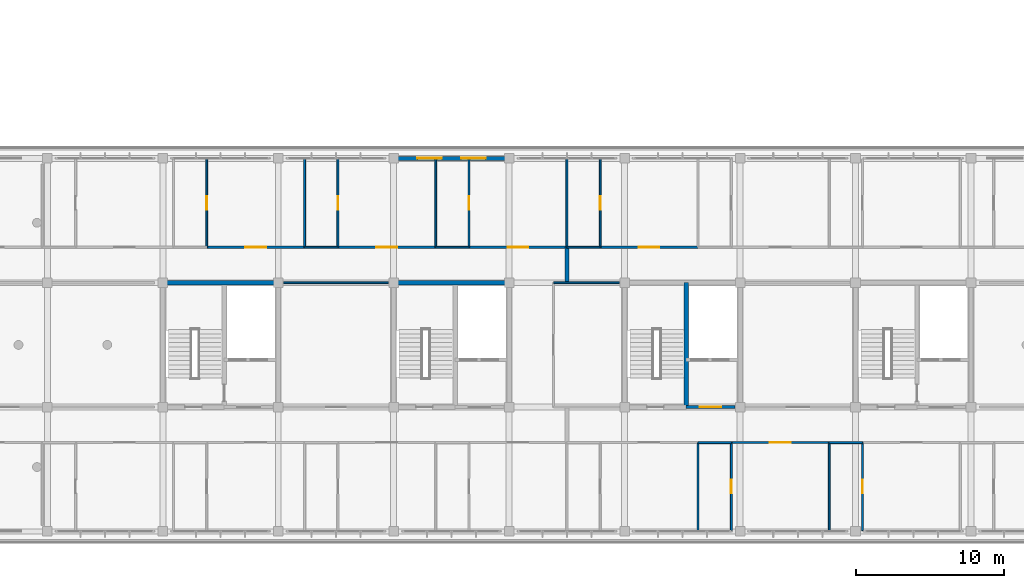
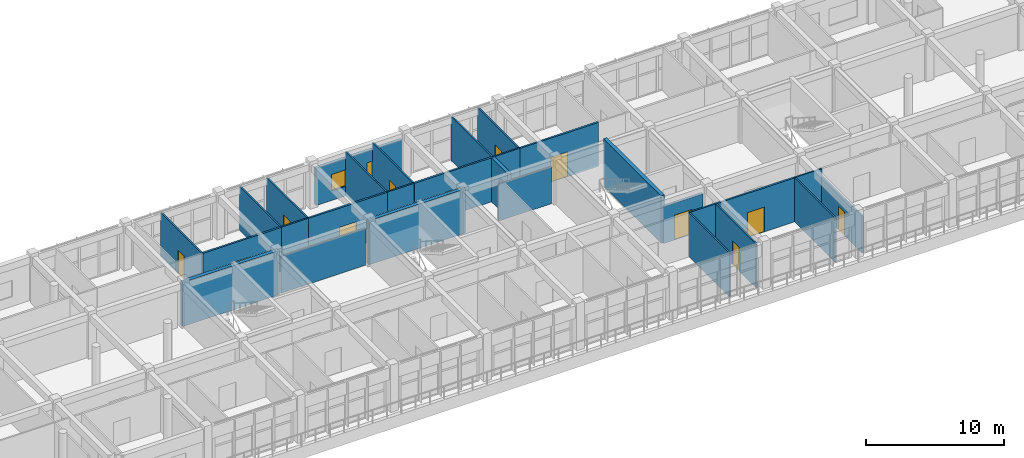
# One storey, part 49 of 57: 29 walls, 12 doors, 2 windows, 14 openings.
"""IFC4 building model written with IfcOpenShell, lengths in metres."""

import ifcopenshell
import ifcopenshell.guid

model = None  # the IFC model being written
_history = None  # IfcOwnerHistory: only IFC2X3 demands one
_inside = {}  # id of a spatial element -> (the spatial element, [elements in it])
_under = {}  # id of a project, library or spatial element -> (it, [spatial elements below it])
_declared = {}  # id of a project -> (the project, [libraries it declares])
_typed = {}  # id of a type object -> (the type object, [elements of that type])
_made_of = {}  # id of a material, layer set ... -> (it, [elements and type objects made of it])


def new_model(schema):
    """Start an empty IFC model of exactly this schema.

    Asked for "IFC4X3", IfcOpenShell would pick the latest addendum, in which some entities
    have other attributes; the version numbers below select the first issue.
    IFC2X3 requires an IfcOwnerHistory on every rooted entity: one is made here for all.
    """
    global model, _history
    if schema == "IFC4X3":
        model = ifcopenshell.file(schema_version=(4, 3, 0, 0))
    else:
        model = ifcopenshell.file(schema=schema)
    _inside.clear()
    _under.clear()
    _declared.clear()
    _typed.clear()
    _made_of.clear()
    _history = None
    if model.schema == "IFC2X3":
        org = make("IfcOrganization", Name="unknown")
        user = make(
            "IfcPersonAndOrganization",
            ThePerson=make("IfcPerson", FamilyName="unknown"),
            TheOrganization=org,
        )
        app = make(
            "IfcApplication",
            ApplicationDeveloper=org,
            Version="unknown",
            ApplicationFullName="unknown",
            ApplicationIdentifier="unknown",
        )
        _history = make(
            "IfcOwnerHistory",
            OwningUser=user,
            OwningApplication=app,
            ChangeAction="ADDED",
            CreationDate=0,
        )
    return model


def make(cls, **values):
    """One entity of the class cls with the attributes given. An attribute that is None is left unset."""
    return model.create_entity(
        cls, **{name: value for name, value in values.items() if value is not None}
    )


def rooted(cls, **values):
    """An entity with a GlobalId (a new one), such as an element, a storey or a relation."""
    return make(cls, GlobalId=ifcopenshell.guid.new(), OwnerHistory=_history, **values)


def si_unit(unit_type, name, prefix=None):
    """IfcSIUnit, for example si_unit("LENGTHUNIT", "METRE", prefix="MILLI")."""
    return make("IfcSIUnit", UnitType=unit_type, Prefix=prefix, Name=name)


def assignment(units):
    """IfcUnitAssignment: the units of a project."""
    return None if units is None else make("IfcUnitAssignment", Units=units)


def point(xyz):
    """IfcCartesianPoint."""
    return None if xyz is None else make("IfcCartesianPoint", Coordinates=xyz)


def direction(xyz):
    """IfcDirection."""
    return None if xyz is None else make("IfcDirection", DirectionRatios=xyz)


def frame(location, z_axis=None, x_axis=None):
    """IfcAxis2Placement3D, a coordinate frame: its origin and axes. An axis left out is left unset."""
    return make(
        "IfcAxis2Placement3D",
        Location=point(location),
        Axis=direction(z_axis),
        RefDirection=direction(x_axis),
    )


def frame_2d(location, x_axis=None):
    """IfcAxis2Placement2D, a coordinate frame in the plane: its origin and x axis."""
    return make(
        "IfcAxis2Placement2D", Location=point(location), RefDirection=direction(x_axis)
    )


def origin():
    """The frame at (0, 0, 0) with its axes left unset."""
    return frame((0.0, 0.0, 0.0))


def place(relative_to, where):
    """IfcLocalPlacement: puts the frame where relative to a parent placement (None: the world)."""
    return make(
        "IfcLocalPlacement", PlacementRelTo=relative_to, RelativePlacement=where
    )


def context(
    kind, dimensions, precision=None, world=None, true_north=None, identifier=None
):
    """IfcGeometricRepresentationContext, for example the 3D "Model" context."""
    return make(
        "IfcGeometricRepresentationContext",
        ContextIdentifier=identifier,
        ContextType=kind,
        CoordinateSpaceDimension=dimensions,
        Precision=precision,
        WorldCoordinateSystem=world,
        TrueNorth=true_north,
    )


def subcontext(parent, identifier, kind, view, scale=None):
    """IfcGeometricRepresentationSubContext, for example "Body" below "Model"."""
    return make(
        "IfcGeometricRepresentationSubContext",
        ContextIdentifier=identifier,
        ContextType=kind,
        ParentContext=parent,
        TargetScale=scale,
        TargetView=view,
    )


def project(units=None, contexts=None):
    """IfcProject with its units and contexts."""
    return rooted(
        "IfcProject",
        Name="project",
        RepresentationContexts=contexts,
        UnitsInContext=assignment(units),
    )


def spatial(cls, under=None, at=None, **own):
    """A site, building, storey or space (cls), placed at a placement, below another one or the project."""
    s = rooted(cls, ObjectPlacement=at, **own)
    if under is not None:
        _under.setdefault(under.id(), (under, []))[1].append(s)
    return s


def profile(cls, at=None, kind="AREA", **sizes):
    """A parametric profile (cls). Its sizes go by their IFC names, for example OverallWidth=200.0."""
    return make(cls, ProfileType=kind, Position=at, **sizes)


def rectangle(**sizes):
    """IfcRectangleProfileDef."""
    return profile("IfcRectangleProfileDef", **sizes)


def extrude(swept, where, along, depth):
    """IfcExtrudedAreaSolid: the profile swept, set in the frame where, extruded along a direction by depth."""
    return make(
        "IfcExtrudedAreaSolid",
        SweptArea=swept,
        Position=where,
        ExtrudedDirection=direction(along),
        Depth=depth,
    )


def shape(context_of_items, identifier, shape_type, items):
    """IfcShapeRepresentation: the items that make up one representation, for example the "Body"."""
    return make(
        "IfcShapeRepresentation",
        ContextOfItems=context_of_items,
        RepresentationIdentifier=identifier,
        RepresentationType=shape_type,
        Items=items,
    )


def material(Name=None, Category=None):
    """IfcMaterial."""
    return make("IfcMaterial", Name=Name, Category=Category)


def layer(
    of_material, thickness, ventilated=None, Name=None, Category=None, Priority=None
):
    """IfcMaterialLayer: one layer of a wall or slab, of a material (None: an air gap)."""
    return make(
        "IfcMaterialLayer",
        Material=of_material,
        LayerThickness=thickness,
        IsVentilated=ventilated,
        Name=Name,
        Category=Category,
        Priority=Priority,
    )


def layer_set(layers, Name=None):
    """IfcMaterialLayerSet."""
    return make("IfcMaterialLayerSet", MaterialLayers=layers, LayerSetName=Name)


def made_of(thing, what):
    """Note that an element or type object is made of a material, layer set ...; save() writes the relation."""
    if what is not None:
        _made_of.setdefault(what.id(), (what, []))[1].append(thing)
    return thing


def type_object(cls, material=None, **own):
    """A type object (cls), such as IfcWallType, which elements share."""
    return made_of(rooted(cls, **own), material)


def element(
    cls,
    number,
    at=None,
    inside=None,
    cuts=None,
    type_object=None,
    material=None,
    context=None,
    identifier="Body",
    shape_type=None,
    held_by="IfcProductDefinitionShape",
    body=None,
    shapes=None,
    **own,
):
    """One element of the class cls, such as IfcWall. Its Tag is "e" and its number.

    at: its placement. inside: the storey or other place that contains it. cuts: it is an
    opening in that element (IfcRelVoidsElement). A single representation is given by context,
    identifier, shape_type and body (its items); several are given by shapes. held_by: the class
    of the entity that holds the representations. save() writes the other relations.
    """
    e = rooted(cls, Tag="e%d" % number, ObjectPlacement=at, **own)
    if body is not None:
        shapes = [shape(context, identifier, shape_type, body)]
    if shapes is not None:
        e.Representation = make(held_by, Representations=shapes)
    if inside is not None:
        _inside.setdefault(inside.id(), (inside, []))[1].append(e)
    if cuts is not None:
        rooted(
            "IfcRelVoidsElement", RelatingBuildingElement=cuts, RelatedOpeningElement=e
        )
    if type_object is not None:
        _typed.setdefault(type_object.id(), (type_object, []))[1].append(e)
    return made_of(e, material)


def fill(opening, filler):
    """IfcRelFillsElement: the door or window that sits in an opening."""
    return rooted(
        "IfcRelFillsElement",
        RelatingOpeningElement=opening,
        RelatedBuildingElement=filler,
    )


def aggregate(whole, parts):
    """IfcRelAggregates: a whole, such as a stair, and the parts it consists of."""
    return rooted("IfcRelAggregates", RelatingObject=whole, RelatedObjects=parts)


def save(model, path):
    """Write the relations noted so far, then the file.

    IfcRelAggregates (storeys below a building ...), IfcRelContainedInSpatialStructure (elements
    in a storey), IfcRelDefinesByType, IfcRelAssociatesMaterial and IfcRelDeclares: one each for
    every whole, place, type object, material and project.
    """
    for whole, parts in _under.values():
        aggregate(whole, parts)
    for where, things in _inside.values():
        rooted(
            "IfcRelContainedInSpatialStructure",
            RelatedElements=things,
            RelatingStructure=where,
        )
    for kind, things in _typed.values():
        rooted("IfcRelDefinesByType", RelatedObjects=things, RelatingType=kind)
    for what, things in _made_of.values():
        rooted("IfcRelAssociatesMaterial", RelatedObjects=things, RelatingMaterial=what)
    for by, libraries in _declared.values():
        rooted("IfcRelDeclares", RelatingContext=by, RelatedDefinitions=libraries)
    model.write(path)


model = new_model("IFC4")

# Units and contexts
model_context = context("Model", 3, precision=1e-05, world=origin(), true_north=direction((0.0, 1.0)))
body_context = subcontext(model_context, "Body", "Model", "MODEL_VIEW")
ifc_project = project(units=[si_unit("LENGTHUNIT", "METRE"), si_unit("AREAUNIT", "SQUARE_METRE"), si_unit("VOLUMEUNIT", "CUBIC_METRE"), si_unit("PLANEANGLEUNIT", "RADIAN"), si_unit("MASSUNIT", "GRAM", prefix="KILO")], contexts=[model_context])

# Site, building, storey
site_placement = place(None, origin())
site = spatial("IfcSite", under=ifc_project, at=site_placement, CompositionType="ELEMENT")
building_placement = place(site_placement, origin())
building = spatial("IfcBuilding", under=site, at=building_placement, Name="Zizhar Promenade General Hospital", CompositionType="ELEMENT")
storey_placement = place(building_placement, frame((0.0, 0.0, 22.199951171875)))
storey = spatial("IfcBuildingStorey", under=building, at=storey_placement, Name="L05", CompositionType="ELEMENT", Elevation=22.199951171875)

# Wall, openings, windows
ifc_material_1 = material(Name="Precast concrete C40/50", Category="concrete")
ifc_layer_1 = layer(ifc_material_1, 0.260009765625)
ifc_layer_set_1 = layer_set([ifc_layer_1], Name="Precast concrete C40/50")
wall_type_1 = type_object("IfcWallType", Name="EW-PC-260", PredefinedType="STANDARD", material=ifc_layer_set_1)
wall_1_placement = place(storey_placement, frame((62.68994140625, 25.199951171875, 0.0), z_axis=(0.0, 0.0, 1.0), x_axis=(1.0, 0.0, 0.0)))
wall_1 = element("IfcWall", 1, at=wall_1_placement, inside=storey, type_object=wall_type_1, Name="Ward Precast Ribbon Pier L05-8-4", PredefinedType="STANDARD", context=body_context, shape_type="SweptSolid", body=[
    extrude(rectangle(XDim=7.219970703125, YDim=0.260009765625, at=frame_2d((3.60986328125, 0.0))), origin(), (0.0, 0.0, 1.0), 3.304931640625),
])
opening_1_placement = place(wall_1_placement, frame((1.306640625, 0.0, 0.85009765625)))
opening_1 = element("IfcOpeningElement", 2, at=opening_1_placement, cuts=wall_1, Name="Opening W-30", PredefinedType="OPENING", context=body_context, shape_type="SweptSolid", body=[
    extrude(rectangle(XDim=1.64990234375, YDim=1.449951171875, at=frame_2d((0.824951171875, 0.72509765625))), frame((0.0, 0.14013671875, 0.0), z_axis=(0.0, -1.0, 0.0), x_axis=(1.0, 0.0, 0.0)), (0.0, 0.0, 1.0), 0.280029296875),
])
opening_2_placement = place(wall_1_placement, frame((4.26318359375, 0.0, 0.85009765625)))
opening_2 = element("IfcOpeningElement", 3, at=opening_2_placement, cuts=wall_1, Name="Opening W-30", PredefinedType="OPENING", context=body_context, shape_type="SweptSolid", body=[
    extrude(rectangle(XDim=1.64990234375, YDim=1.449951171875, at=frame_2d((0.824951171875, 0.72509765625))), frame((0.0, 0.14013671875, 0.0), z_axis=(0.0, -1.0, 0.0), x_axis=(1.0, 0.0, 0.0)), (0.0, 0.0, 1.0), 0.280029296875),
])
ifc_material_2 = material(Name="Anodised aluminium 6063-T6 and low-E glass", Category="aluminium")
window_type = type_object("IfcWindowType", Name="WIN-WARD-165x145", PartitioningType="SINGLE_PANEL", PredefinedType="WINDOW", material=ifc_material_2)
window_1_placement = place(opening_1_placement, origin())
window_1 = element("IfcWindow", 4, at=window_1_placement, inside=storey, type_object=window_type, Name="Ward Precast Ribbon Pier L05-8-4 Window 1", OverallHeight=1.449951171875, OverallWidth=1.64990234375, PartitioningType="SINGLE_PANEL", PredefinedType="WINDOW", context=body_context, shape_type="SweptSolid", body=[
    extrude(rectangle(XDim=1.64990234375, YDim=1.449951171875, at=frame_2d((0.824951171875, 0.72509765625))), frame((0.0, 0.030029296875, 0.0), z_axis=(0.0, -1.0, 0.0), x_axis=(1.0, 0.0, 0.0)), (0.0, 0.0, 1.0), 0.06005859375),
])
fill(opening_1, window_1)
window_2_placement = place(opening_2_placement, origin())
window_2 = element("IfcWindow", 5, at=window_2_placement, inside=storey, type_object=window_type, Name="Ward Precast Ribbon Pier L05-8-4 Window 2", OverallHeight=1.449951171875, OverallWidth=1.64990234375, PartitioningType="SINGLE_PANEL", PredefinedType="WINDOW", context=body_context, shape_type="SweptSolid", body=[
    extrude(rectangle(XDim=1.64990234375, YDim=1.449951171875, at=frame_2d((0.824951171875, 0.72509765625))), frame((0.0, 0.030029296875, 0.0), z_axis=(0.0, -1.0, 0.0), x_axis=(1.0, 0.0, 0.0)), (0.0, 0.0, 1.0), 0.06005859375),
])
fill(opening_2, window_2)

# Wall
ifc_material_3 = material(Name="Concrete C35/45", Category="concrete")
ifc_layer_2 = layer(ifc_material_3, 0.284912109375)
ifc_layer_set_2 = layer_set([ifc_layer_2], Name="Concrete C35/45")
wall_type_2 = type_object("IfcWallType", Name="IW-COMP-285", PredefinedType="STANDARD", material=ifc_layer_set_2)
wall_2_placement = place(storey_placement, frame((74.10009765625, 16.800048828125, 0.0), z_axis=(0.0, 0.0, 1.0), x_axis=(0.0, 1.0, 0.0)))
element("IfcWall", 6, at=wall_2_placement, inside=storey, type_object=wall_type_2, Name="Horizontal Fire Compartment Wall North (L05)", PredefinedType="STANDARD", context=body_context, shape_type="SweptSolid", body=[
    extrude(rectangle(XDim=2.39990234375, YDim=0.284912109375, at=frame_2d((1.199951171875, 0.0))), origin(), (0.0, 0.0, 1.0), 3.900146484375),
])

# Wall, opening, door
ifc_material_4 = material(Name="Concrete C35/45", Category="concrete")
ifc_layer_3 = layer(ifc_material_4, 0.215087890625)
ifc_layer_set_3 = layer_set([ifc_layer_3], Name="Concrete C35/45")
wall_type_3 = type_object("IfcWallType", Name="IW-LOBBY-215", PredefinedType="STANDARD", material=ifc_layer_set_3)
wall_3_placement = place(storey_placement, frame((82.14990234375, 8.39990234375, 0.0), z_axis=(0.0, 0.0, 1.0), x_axis=(1.0, 0.0, 0.0)))
wall_3 = element("IfcWall", 7, at=wall_3_placement, inside=storey, type_object=wall_type_3, Name="Core C4 Lift Lobby South Fire Wall (L05)", PredefinedType="STANDARD", context=body_context, shape_type="SweptSolid", body=[
    extrude(rectangle(XDim=3.2900390625, YDim=0.215087890625, at=frame_2d((1.64501953125, 0.0))), origin(), (0.0, 0.0, 1.0), 3.27001953125),
])
opening_3_placement = place(wall_3_placement, frame((0.925048828125, 0.0, 0.0)))
opening_3 = element("IfcOpeningElement", 8, at=opening_3_placement, cuts=wall_3, Name="Opening D-23", PredefinedType="OPENING", context=body_context, shape_type="SweptSolid", body=[
    extrude(rectangle(XDim=1.43994140625, YDim=2.199951171875, at=frame_2d((0.719970703125, 1.10009765625))), frame((0.0, 0.11767578125, 0.0), z_axis=(0.0, -1.0, 0.0), x_axis=(1.0, 0.0, 0.0)), (0.0, 0.0, 1.0), 0.235107421875),
])
ifc_material_5 = material(Name="Fire-rated timber lift lobby pair", Category="wood")
door_type_1 = type_object("IfcDoorType", Name="DR-LOBBY-PR-144x220", OperationType="DOUBLE_DOOR_SINGLE_SWING", PredefinedType="DOOR", material=ifc_material_5)
door_1_placement = place(opening_3_placement, origin())
door_1 = element("IfcDoor", 9, at=door_1_placement, inside=storey, type_object=door_type_1, Name="Core C4 Protected Lift Lobby Door (L05)", OperationType="DOUBLE_DOOR_SINGLE_SWING", OverallHeight=2.199951171875, OverallWidth=1.43994140625, PredefinedType="DOOR", context=body_context, shape_type="SweptSolid", body=[
    extrude(rectangle(XDim=1.43994140625, YDim=2.199951171875, at=frame_2d((0.719970703125, 1.10009765625))), frame((0.0, 0.02490234375, 0.0), z_axis=(0.0, -1.0, 0.0), x_axis=(1.0, 0.0, 0.0)), (0.0, 0.0, 1.0), 0.050048828125),
])
fill(opening_3, door_1)

# Walls
ifc_material_6 = material(Name="Clean utility gypsum partition")
ifc_layer_4 = layer(ifc_material_6, 0.114990234375)
ifc_layer_set_4 = layer_set([ifc_layer_4], Name="Clean utility gypsum partition")
wall_type_4 = type_object("IfcWallType", Name="IW-STR-115", PredefinedType="PARTITIONING", material=ifc_layer_set_4)
wall_4_placement = place(storey_placement, frame((54.9599609375, 16.800048828125, 0.0), z_axis=(0.0, 0.0, 1.0), x_axis=(1.0, 0.0, 0.0)))
element("IfcWall", 10, at=wall_4_placement, inside=storey, type_object=wall_type_4, Name="Nurse Station and Medication Room L05 N Partition", PredefinedType="PARTITIONING", context=body_context, shape_type="SweptSolid", body=[
    extrude(rectangle(XDim=7.080078125, YDim=0.114990234375, at=frame_2d((3.5400390625, 0.0))), origin(), (0.0, 0.0, 1.0), 3.27001953125),
])
wall_5_placement = place(storey_placement, frame((73.199951171875, 16.800048828125, 0.0), z_axis=(0.0, 0.0, 1.0), x_axis=(1.0, 0.0, 0.0)))
element("IfcWall", 11, at=wall_5_placement, inside=storey, type_object=wall_type_4, Name="Echocardiography Procedure Room N Partition", PredefinedType="PARTITIONING", context=body_context, shape_type="SweptSolid", body=[
    extrude(rectangle(XDim=4.43994140625, YDim=0.114990234375, at=frame_2d((2.219970703125, 0.0))), origin(), (0.0, 0.0, 1.0), 3.27001953125),
])

# Wall, opening, door
ifc_material_7 = material(Name="Acoustic patient bedroom partition")
ifc_layer_5 = layer(ifc_material_7, 0.155029296875)
ifc_layer_set_5 = layer_set([ifc_layer_5], Name="Acoustic patient bedroom partition")
wall_type_5 = type_object("IfcWallType", Name="IW-WARD-155", PredefinedType="PARTITIONING", material=ifc_layer_set_5)
wall_6_placement = place(storey_placement, frame((49.780029296875, 19.199951171875, 0.0), z_axis=(0.0, 0.0, 1.0), x_axis=(1.0, 0.0, 0.0)))
wall_6 = element("IfcWall", 12, at=wall_6_placement, inside=storey, type_object=wall_type_5, Name="Cardiology Inpatient Ward L05-N03 S Partition", PredefinedType="PARTITIONING", context=body_context, shape_type="SweptSolid", body=[
    extrude(rectangle(XDim=6.590087890625, YDim=0.155029296875, at=frame_2d((3.294921875, 0.0))), origin(), (0.0, 0.0, 1.0), 3.900146484375),
])
opening_4_placement = place(wall_6_placement, frame((2.594970703125, 0.0, 0.0)))
opening_4 = element("IfcOpeningElement", 13, at=opening_4_placement, cuts=wall_6, Name="Opening D-06", PredefinedType="OPENING", context=body_context, shape_type="SweptSolid", body=[
    extrude(rectangle(XDim=1.39990234375, YDim=2.199951171875, at=frame_2d((0.699951171875, 1.10009765625))), frame((0.0, 0.08740234375, 0.0), z_axis=(0.0, -1.0, 0.0), x_axis=(1.0, 0.0, 0.0)), (0.0, 0.0, 1.0), 0.175048828125),
])
ifc_material_8 = material(Name="Fire-rated timber hospital bed leaf", Category="wood")
door_type_2 = type_object("IfcDoorType", Name="DR-BED-WARD-140x220", OperationType="NOTDEFINED", PredefinedType="DOOR", material=ifc_material_8)
door_2_placement = place(opening_4_placement, origin())
door_2 = element("IfcDoor", 14, at=door_2_placement, inside=storey, type_object=door_type_2, Name="Cardiology Inpatient Ward L05-N03 Door", OperationType="SINGLE_SWING_LEFT", OverallHeight=2.199951171875, OverallWidth=1.39990234375, PredefinedType="DOOR", context=body_context, shape_type="SweptSolid", body=[
    extrude(rectangle(XDim=1.39990234375, YDim=2.199951171875, at=frame_2d((0.699951171875, 1.10009765625))), frame((0.0, 0.02490234375, 0.0), z_axis=(0.0, -1.0, 0.0), x_axis=(1.0, 0.0, 0.0)), (0.0, 0.0, 1.0), 0.050048828125),
])
fill(opening_4, door_2)

wall_7_placement = place(storey_placement, frame((58.639892578125, 19.199951171875, 0.0), z_axis=(0.0, 0.0, 1.0), x_axis=(1.0, 0.0, 0.0)))
wall_7 = element("IfcWall", 15, at=wall_7_placement, inside=storey, type_object=wall_type_5, Name="Vascular Inpatient Ward L05-N04 S Partition", PredefinedType="PARTITIONING", context=body_context, shape_type="SweptSolid", body=[
    extrude(rectangle(XDim=6.590087890625, YDim=0.155029296875, at=frame_2d((3.294921875, 0.0))), origin(), (0.0, 0.0, 1.0), 3.900146484375),
])
opening_5_placement = place(wall_7_placement, frame((2.594970703125, 0.0, 0.0)))
opening_5 = element("IfcOpeningElement", 16, at=opening_5_placement, cuts=wall_7, Name="Opening D-06", PredefinedType="OPENING", context=body_context, shape_type="SweptSolid", body=[
    extrude(rectangle(XDim=1.39990234375, YDim=2.199951171875, at=frame_2d((0.699951171875, 1.10009765625))), frame((0.0, 0.08740234375, 0.0), z_axis=(0.0, -1.0, 0.0), x_axis=(1.0, 0.0, 0.0)), (0.0, 0.0, 1.0), 0.175048828125),
])
door_3_placement = place(opening_5_placement, origin())
door_3 = element("IfcDoor", 17, at=door_3_placement, inside=storey, type_object=door_type_2, Name="Vascular Inpatient Ward L05-N04 Door", OperationType="SINGLE_SWING_LEFT", OverallHeight=2.199951171875, OverallWidth=1.39990234375, PredefinedType="DOOR", context=body_context, shape_type="SweptSolid", body=[
    extrude(rectangle(XDim=1.39990234375, YDim=2.199951171875, at=frame_2d((0.699951171875, 1.10009765625))), frame((0.0, 0.02490234375, 0.0), z_axis=(0.0, -1.0, 0.0), x_axis=(1.0, 0.0, 0.0)), (0.0, 0.0, 1.0), 0.050048828125),
])
fill(opening_5, door_3)

wall_8_placement = place(storey_placement, frame((67.5, 19.199951171875, 0.0), z_axis=(0.0, 0.0, 1.0), x_axis=(1.0, 0.0, 0.0)))
wall_8 = element("IfcWall", 18, at=wall_8_placement, inside=storey, type_object=wall_type_5, Name="Cardiology Inpatient Ward L05-N05 S Partition", PredefinedType="PARTITIONING", context=body_context, shape_type="SweptSolid", body=[
    extrude(rectangle(XDim=6.590087890625, YDim=0.155029296875, at=frame_2d((3.294921875, 0.0))), origin(), (0.0, 0.0, 1.0), 3.900146484375),
])
opening_6_placement = place(wall_8_placement, frame((2.594970703125, 0.0, 0.0)))
opening_6 = element("IfcOpeningElement", 19, at=opening_6_placement, cuts=wall_8, Name="Opening D-06", PredefinedType="OPENING", context=body_context, shape_type="SweptSolid", body=[
    extrude(rectangle(XDim=1.39990234375, YDim=2.199951171875, at=frame_2d((0.699951171875, 1.10009765625))), frame((0.0, 0.08740234375, 0.0), z_axis=(0.0, -1.0, 0.0), x_axis=(1.0, 0.0, 0.0)), (0.0, 0.0, 1.0), 0.175048828125),
])
door_4_placement = place(opening_6_placement, origin())
door_4 = element("IfcDoor", 20, at=door_4_placement, inside=storey, type_object=door_type_2, Name="Cardiology Inpatient Ward L05-N05 Door", OperationType="SINGLE_SWING_LEFT", OverallHeight=2.199951171875, OverallWidth=1.39990234375, PredefinedType="DOOR", context=body_context, shape_type="SweptSolid", body=[
    extrude(rectangle(XDim=1.39990234375, YDim=2.199951171875, at=frame_2d((0.699951171875, 1.10009765625))), frame((0.0, 0.02490234375, 0.0), z_axis=(0.0, -1.0, 0.0), x_axis=(1.0, 0.0, 0.0)), (0.0, 0.0, 1.0), 0.050048828125),
])
fill(opening_6, door_4)

wall_9_placement = place(storey_placement, frame((76.360107421875, 19.199951171875, 0.0), z_axis=(0.0, 0.0, 1.0), x_axis=(1.0, 0.0, 0.0)))
wall_9 = element("IfcWall", 21, at=wall_9_placement, inside=storey, type_object=wall_type_5, Name="Vascular Inpatient Ward L05-N06 S Partition", PredefinedType="PARTITIONING", context=body_context, shape_type="SweptSolid", body=[
    extrude(rectangle(XDim=6.58984375, YDim=0.155029296875, at=frame_2d((3.294921875, 0.0))), origin(), (0.0, 0.0, 1.0), 3.900146484375),
])
opening_7_placement = place(wall_9_placement, frame((2.594970703125, 0.0, 0.0)))
opening_7 = element("IfcOpeningElement", 22, at=opening_7_placement, cuts=wall_9, Name="Opening D-06", PredefinedType="OPENING", context=body_context, shape_type="SweptSolid", body=[
    extrude(rectangle(XDim=1.39990234375, YDim=2.199951171875, at=frame_2d((0.699951171875, 1.10009765625))), frame((0.0, 0.08740234375, 0.0), z_axis=(0.0, -1.0, 0.0), x_axis=(1.0, 0.0, 0.0)), (0.0, 0.0, 1.0), 0.175048828125),
])
door_5_placement = place(opening_7_placement, origin())
door_5 = element("IfcDoor", 23, at=door_5_placement, inside=storey, type_object=door_type_2, Name="Vascular Inpatient Ward L05-N06 Door", OperationType="SINGLE_SWING_LEFT", OverallHeight=2.199951171875, OverallWidth=1.39990234375, PredefinedType="DOOR", context=body_context, shape_type="SweptSolid", body=[
    extrude(rectangle(XDim=1.39990234375, YDim=2.199951171875, at=frame_2d((0.699951171875, 1.10009765625))), frame((0.0, 0.02490234375, 0.0), z_axis=(0.0, -1.0, 0.0), x_axis=(1.0, 0.0, 0.0)), (0.0, 0.0, 1.0), 0.050048828125),
])
fill(opening_7, door_5)

wall_10_placement = place(storey_placement, frame((85.219970703125, 6.0, 0.0), z_axis=(0.0, 0.0, 1.0), x_axis=(1.0, 0.0, 0.0)))
wall_10 = element("IfcWall", 24, at=wall_10_placement, inside=storey, type_object=wall_type_5, Name="Cardiology Inpatient Ward L05-S07 N Partition", PredefinedType="PARTITIONING", context=body_context, shape_type="SweptSolid", body=[
    extrude(rectangle(XDim=6.590087890625, YDim=0.155029296875, at=frame_2d((3.294921875, 0.0))), origin(), (0.0, 0.0, 1.0), 3.900146484375),
])
opening_8_placement = place(wall_10_placement, frame((2.594970703125, 0.0, 0.0)))
opening_8 = element("IfcOpeningElement", 25, at=opening_8_placement, cuts=wall_10, Name="Opening D-06", PredefinedType="OPENING", context=body_context, shape_type="SweptSolid", body=[
    extrude(rectangle(XDim=1.39990234375, YDim=2.199951171875, at=frame_2d((0.699951171875, 1.10009765625))), frame((0.0, 0.08740234375, 0.0), z_axis=(0.0, -1.0, 0.0), x_axis=(1.0, 0.0, 0.0)), (0.0, 0.0, 1.0), 0.175048828125),
])
door_6_placement = place(opening_8_placement, origin())
door_6 = element("IfcDoor", 26, at=door_6_placement, inside=storey, type_object=door_type_2, Name="Cardiology Inpatient Ward L05-S07 Door", OperationType="SINGLE_SWING_RIGHT", OverallHeight=2.199951171875, OverallWidth=1.39990234375, PredefinedType="DOOR", context=body_context, shape_type="SweptSolid", body=[
    extrude(rectangle(XDim=1.39990234375, YDim=2.199951171875, at=frame_2d((0.699951171875, 1.10009765625))), frame((0.0, 0.02490234375, 0.0), z_axis=(0.0, -1.0, 0.0), x_axis=(1.0, 0.0, 0.0)), (0.0, 0.0, 1.0), 0.050048828125),
])
fill(opening_8, door_6)

ifc_material_9 = material(Name="Moisture-resistant en-suite wet partition")
ifc_layer_6 = layer(ifc_material_9, 0.125)
ifc_layer_set_6 = layer_set([ifc_layer_6], Name="Moisture-resistant en-suite wet partition")
wall_type_6 = type_object("IfcWallType", Name="IW-WET-125", PredefinedType="PARTITIONING", material=ifc_layer_set_6)
wall_11_placement = place(storey_placement, frame((49.77001953125, 19.199951171875, 0.0), z_axis=(0.0, 0.0, 1.0), x_axis=(0.0, 1.0, 0.0)))
wall_11 = element("IfcWall", 27, at=wall_11_placement, inside=storey, type_object=wall_type_6, Name="En-Suite Patient Bathroom L05-N03 E Partition", PredefinedType="PARTITIONING", context=body_context, shape_type="SweptSolid", body=[
    extrude(rectangle(XDim=5.955078125, YDim=0.125, at=frame_2d((2.9775390625, 0.0))), origin(), (0.0, 0.0, 1.0), 3.900146484375),
])
opening_9_placement = place(wall_11_placement, frame((2.517578125, 0.0, 0.0)))
opening_9 = element("IfcOpeningElement", 28, at=opening_9_placement, cuts=wall_11, Name="Opening D-18", PredefinedType="OPENING", context=body_context, shape_type="SweptSolid", body=[
    extrude(rectangle(XDim=0.919921875, YDim=2.10009765625, at=frame_2d((0.4599609375, 1.050048828125))), frame((0.0, 0.072509765625, 0.0), z_axis=(0.0, -1.0, 0.0), x_axis=(1.0, 0.0, 0.0)), (0.0, 0.0, 1.0), 0.14501953125),
])
ifc_material_10 = material(Name="Moisture-resistant timber en-suite leaf", Category="wood")
door_type_3 = type_object("IfcDoorType", Name="DR-ENS-STD-092x210", OperationType="NOTDEFINED", PredefinedType="DOOR", material=ifc_material_10)
door_7_placement = place(opening_9_placement, origin())
door_7 = element("IfcDoor", 29, at=door_7_placement, inside=storey, type_object=door_type_3, Name="En-Suite Patient Bathroom L05-N03 Door", OperationType="SINGLE_SWING_LEFT", OverallHeight=2.10009765625, OverallWidth=0.919921875, PredefinedType="DOOR", context=body_context, shape_type="SweptSolid", body=[
    extrude(rectangle(XDim=0.919921875, YDim=2.10009765625, at=frame_2d((0.4599609375, 1.050048828125))), frame((0.0, 0.02490234375, 0.0), z_axis=(0.0, -1.0, 0.0), x_axis=(1.0, 0.0, 0.0)), (0.0, 0.0, 1.0), 0.050048828125),
])
fill(opening_9, door_7)

# Walls
wall_12_placement = place(storey_placement, frame((56.3798828125, 19.199951171875, 0.0), z_axis=(0.0, 0.0, 1.0), x_axis=(1.0, 0.0, 0.0)))
element("IfcWall", 30, at=wall_12_placement, inside=storey, type_object=wall_type_6, Name="En-Suite Patient Bathroom L05-N04 S Partition", PredefinedType="PARTITIONING", context=body_context, shape_type="SweptSolid", body=[
    extrude(rectangle(XDim=2.25, YDim=0.125, at=frame_2d((1.125, 0.0))), origin(), (0.0, 0.0, 1.0), 3.900146484375),
])
wall_13_placement = place(storey_placement, frame((56.3798828125, 19.199951171875, 0.0), z_axis=(0.0, 0.0, 1.0), x_axis=(0.0, 1.0, 0.0)))
element("IfcWall", 31, at=wall_13_placement, inside=storey, type_object=wall_type_6, Name="En-Suite Patient Bathroom L05-N04 W Partition", PredefinedType="PARTITIONING", context=body_context, shape_type="SweptSolid", body=[
    extrude(rectangle(XDim=5.955078125, YDim=0.125, at=frame_2d((2.9775390625, 0.0))), origin(), (0.0, 0.0, 1.0), 3.900146484375),
])

# Wall, opening, door
wall_14_placement = place(storey_placement, frame((58.6298828125, 19.199951171875, 0.0), z_axis=(0.0, 0.0, 1.0), x_axis=(0.0, 1.0, 0.0)))
wall_14 = element("IfcWall", 32, at=wall_14_placement, inside=storey, type_object=wall_type_6, Name="En-Suite Patient Bathroom L05-N04 E Partition", PredefinedType="PARTITIONING", context=body_context, shape_type="SweptSolid", body=[
    extrude(rectangle(XDim=5.955078125, YDim=0.125, at=frame_2d((2.9775390625, 0.0))), origin(), (0.0, 0.0, 1.0), 3.900146484375),
])
opening_10_placement = place(wall_14_placement, frame((2.517578125, 0.0, 0.0)))
opening_10 = element("IfcOpeningElement", 33, at=opening_10_placement, cuts=wall_14, Name="Opening D-18", PredefinedType="OPENING", context=body_context, shape_type="SweptSolid", body=[
    extrude(rectangle(XDim=0.919921875, YDim=2.10009765625, at=frame_2d((0.4599609375, 1.050048828125))), frame((0.0, 0.072509765625, 0.0), z_axis=(0.0, -1.0, 0.0), x_axis=(1.0, 0.0, 0.0)), (0.0, 0.0, 1.0), 0.14501953125),
])
door_8_placement = place(opening_10_placement, origin())
door_8 = element("IfcDoor", 34, at=door_8_placement, inside=storey, type_object=door_type_3, Name="En-Suite Patient Bathroom L05-N04 Door", OperationType="SINGLE_SWING_LEFT", OverallHeight=2.10009765625, OverallWidth=0.919921875, PredefinedType="DOOR", context=body_context, shape_type="SweptSolid", body=[
    extrude(rectangle(XDim=0.919921875, YDim=2.10009765625, at=frame_2d((0.4599609375, 1.050048828125))), frame((0.0, 0.02490234375, 0.0), z_axis=(0.0, -1.0, 0.0), x_axis=(1.0, 0.0, 0.0)), (0.0, 0.0, 1.0), 0.050048828125),
])
fill(opening_10, door_8)

# Walls
wall_15_placement = place(storey_placement, frame((65.239990234375, 19.199951171875, 0.0), z_axis=(0.0, 0.0, 1.0), x_axis=(1.0, 0.0, 0.0)))
element("IfcWall", 35, at=wall_15_placement, inside=storey, type_object=wall_type_6, Name="En-Suite Patient Bathroom L05-N05 S Partition", PredefinedType="PARTITIONING", context=body_context, shape_type="SweptSolid", body=[
    extrude(rectangle(XDim=2.25, YDim=0.125, at=frame_2d((1.125, 0.0))), origin(), (0.0, 0.0, 1.0), 3.900146484375),
])
wall_16_placement = place(storey_placement, frame((65.239990234375, 19.199951171875, 0.0), z_axis=(0.0, 0.0, 1.0), x_axis=(0.0, 1.0, 0.0)))
element("IfcWall", 36, at=wall_16_placement, inside=storey, type_object=wall_type_6, Name="En-Suite Patient Bathroom L05-N05 W Partition", PredefinedType="PARTITIONING", context=body_context, shape_type="SweptSolid", body=[
    extrude(rectangle(XDim=5.955078125, YDim=0.125, at=frame_2d((2.9775390625, 0.0))), origin(), (0.0, 0.0, 1.0), 3.900146484375),
])

# Wall, opening, door
wall_17_placement = place(storey_placement, frame((67.489990234375, 19.199951171875, 0.0), z_axis=(0.0, 0.0, 1.0), x_axis=(0.0, 1.0, 0.0)))
wall_17 = element("IfcWall", 37, at=wall_17_placement, inside=storey, type_object=wall_type_6, Name="En-Suite Patient Bathroom L05-N05 E Partition", PredefinedType="PARTITIONING", context=body_context, shape_type="SweptSolid", body=[
    extrude(rectangle(XDim=5.955078125, YDim=0.125, at=frame_2d((2.9775390625, 0.0))), origin(), (0.0, 0.0, 1.0), 3.900146484375),
])
opening_11_placement = place(wall_17_placement, frame((2.517578125, 0.0, 0.0)))
opening_11 = element("IfcOpeningElement", 38, at=opening_11_placement, cuts=wall_17, Name="Opening D-18", PredefinedType="OPENING", context=body_context, shape_type="SweptSolid", body=[
    extrude(rectangle(XDim=0.919921875, YDim=2.10009765625, at=frame_2d((0.4599609375, 1.050048828125))), frame((0.0, 0.072509765625, 0.0), z_axis=(0.0, -1.0, 0.0), x_axis=(1.0, 0.0, 0.0)), (0.0, 0.0, 1.0), 0.14501953125),
])
door_9_placement = place(opening_11_placement, origin())
door_9 = element("IfcDoor", 39, at=door_9_placement, inside=storey, type_object=door_type_3, Name="En-Suite Patient Bathroom L05-N05 Door", OperationType="SINGLE_SWING_LEFT", OverallHeight=2.10009765625, OverallWidth=0.919921875, PredefinedType="DOOR", context=body_context, shape_type="SweptSolid", body=[
    extrude(rectangle(XDim=0.919921875, YDim=2.10009765625, at=frame_2d((0.4599609375, 1.050048828125))), frame((0.0, 0.02490234375, 0.0), z_axis=(0.0, -1.0, 0.0), x_axis=(1.0, 0.0, 0.0)), (0.0, 0.0, 1.0), 0.050048828125),
])
fill(opening_11, door_9)

# Walls
wall_18_placement = place(storey_placement, frame((74.10009765625, 19.199951171875, 0.0), z_axis=(0.0, 0.0, 1.0), x_axis=(1.0, 0.0, 0.0)))
element("IfcWall", 40, at=wall_18_placement, inside=storey, type_object=wall_type_6, Name="En-Suite Patient Bathroom L05-N06 S Partition", PredefinedType="PARTITIONING", context=body_context, shape_type="SweptSolid", body=[
    extrude(rectangle(XDim=2.25, YDim=0.125, at=frame_2d((1.125, 0.0))), origin(), (0.0, 0.0, 1.0), 3.900146484375),
])
wall_19_placement = place(storey_placement, frame((74.10009765625, 19.199951171875, 0.0), z_axis=(0.0, 0.0, 1.0), x_axis=(0.0, 1.0, 0.0)))
element("IfcWall", 41, at=wall_19_placement, inside=storey, type_object=wall_type_6, Name="En-Suite Patient Bathroom L05-N06 W Partition", PredefinedType="PARTITIONING", context=body_context, shape_type="SweptSolid", body=[
    extrude(rectangle(XDim=5.955078125, YDim=0.125, at=frame_2d((2.9775390625, 0.0))), origin(), (0.0, 0.0, 1.0), 3.900146484375),
])

# Wall, opening, door
wall_20_placement = place(storey_placement, frame((76.35009765625, 19.199951171875, 0.0), z_axis=(0.0, 0.0, 1.0), x_axis=(0.0, 1.0, 0.0)))
wall_20 = element("IfcWall", 42, at=wall_20_placement, inside=storey, type_object=wall_type_6, Name="En-Suite Patient Bathroom L05-N06 E Partition", PredefinedType="PARTITIONING", context=body_context, shape_type="SweptSolid", body=[
    extrude(rectangle(XDim=5.955078125, YDim=0.125, at=frame_2d((2.9775390625, 0.0))), origin(), (0.0, 0.0, 1.0), 3.900146484375),
])
opening_12_placement = place(wall_20_placement, frame((2.517578125, 0.0, 0.0)))
opening_12 = element("IfcOpeningElement", 43, at=opening_12_placement, cuts=wall_20, Name="Opening D-18", PredefinedType="OPENING", context=body_context, shape_type="SweptSolid", body=[
    extrude(rectangle(XDim=0.919921875, YDim=2.10009765625, at=frame_2d((0.4599609375, 1.050048828125))), frame((0.0, 0.072509765625, 0.0), z_axis=(0.0, -1.0, 0.0), x_axis=(1.0, 0.0, 0.0)), (0.0, 0.0, 1.0), 0.14501953125),
])
door_10_placement = place(opening_12_placement, origin())
door_10 = element("IfcDoor", 44, at=door_10_placement, inside=storey, type_object=door_type_3, Name="En-Suite Patient Bathroom L05-N06 Door", OperationType="SINGLE_SWING_LEFT", OverallHeight=2.10009765625, OverallWidth=0.919921875, PredefinedType="DOOR", context=body_context, shape_type="SweptSolid", body=[
    extrude(rectangle(XDim=0.919921875, YDim=2.10009765625, at=frame_2d((0.4599609375, 1.050048828125))), frame((0.0, 0.02490234375, 0.0), z_axis=(0.0, -1.0, 0.0), x_axis=(1.0, 0.0, 0.0)), (0.0, 0.0, 1.0), 0.050048828125),
])
fill(opening_12, door_10)

# Walls
wall_21_placement = place(storey_placement, frame((82.9599609375, 6.0, 0.0), z_axis=(0.0, 0.0, 1.0), x_axis=(1.0, 0.0, 0.0)))
element("IfcWall", 45, at=wall_21_placement, inside=storey, type_object=wall_type_6, Name="En-Suite Patient Bathroom L05-S07 N Partition", PredefinedType="PARTITIONING", context=body_context, shape_type="SweptSolid", body=[
    extrude(rectangle(XDim=2.25, YDim=0.125, at=frame_2d((1.125, 0.0))), origin(), (0.0, 0.0, 1.0), 3.900146484375),
])
wall_22_placement = place(storey_placement, frame((82.9599609375, 0.044921875, 0.0), z_axis=(0.0, 0.0, 1.0), x_axis=(0.0, 1.0, 0.0)))
element("IfcWall", 46, at=wall_22_placement, inside=storey, type_object=wall_type_6, Name="En-Suite Patient Bathroom L05-S07 W Partition", PredefinedType="PARTITIONING", context=body_context, shape_type="SweptSolid", body=[
    extrude(rectangle(XDim=5.955078125, YDim=0.125, at=frame_2d((2.9775390625, 0.0))), origin(), (0.0, 0.0, 1.0), 3.900146484375),
])

# Wall, opening, door
wall_23_placement = place(storey_placement, frame((85.2099609375, 0.044921875, 0.0), z_axis=(0.0, 0.0, 1.0), x_axis=(0.0, 1.0, 0.0)))
wall_23 = element("IfcWall", 47, at=wall_23_placement, inside=storey, type_object=wall_type_6, Name="En-Suite Patient Bathroom L05-S07 E Partition", PredefinedType="PARTITIONING", context=body_context, shape_type="SweptSolid", body=[
    extrude(rectangle(XDim=5.955078125, YDim=0.125, at=frame_2d((2.9775390625, 0.0))), origin(), (0.0, 0.0, 1.0), 3.900146484375),
])
opening_13_placement = place(wall_23_placement, frame((2.517578125, 0.0, 0.0)))
opening_13 = element("IfcOpeningElement", 48, at=opening_13_placement, cuts=wall_23, Name="Opening D-18", PredefinedType="OPENING", context=body_context, shape_type="SweptSolid", body=[
    extrude(rectangle(XDim=0.919921875, YDim=2.10009765625, at=frame_2d((0.4599609375, 1.050048828125))), frame((0.0, 0.072509765625, 0.0), z_axis=(0.0, -1.0, 0.0), x_axis=(1.0, 0.0, 0.0)), (0.0, 0.0, 1.0), 0.14501953125),
])
door_11_placement = place(opening_13_placement, origin())
door_11 = element("IfcDoor", 49, at=door_11_placement, inside=storey, type_object=door_type_3, Name="En-Suite Patient Bathroom L05-S07 Door", OperationType="SINGLE_SWING_RIGHT", OverallHeight=2.10009765625, OverallWidth=0.919921875, PredefinedType="DOOR", context=body_context, shape_type="SweptSolid", body=[
    extrude(rectangle(XDim=0.919921875, YDim=2.10009765625, at=frame_2d((0.4599609375, 1.050048828125))), frame((0.0, 0.02490234375, 0.0), z_axis=(0.0, -1.0, 0.0), x_axis=(1.0, 0.0, 0.0)), (0.0, 0.0, 1.0), 0.050048828125),
])
fill(opening_13, door_11)

# Walls
wall_24_placement = place(storey_placement, frame((91.820068359375, 6.0, 0.0), z_axis=(0.0, 0.0, 1.0), x_axis=(1.0, 0.0, 0.0)))
element("IfcWall", 50, at=wall_24_placement, inside=storey, type_object=wall_type_6, Name="En-Suite Patient Bathroom L05-S08 N Partition", PredefinedType="PARTITIONING", context=body_context, shape_type="SweptSolid", body=[
    extrude(rectangle(XDim=2.25, YDim=0.125, at=frame_2d((1.125, 0.0))), origin(), (0.0, 0.0, 1.0), 3.900146484375),
])
wall_25_placement = place(storey_placement, frame((91.820068359375, 0.044921875, 0.0), z_axis=(0.0, 0.0, 1.0), x_axis=(0.0, 1.0, 0.0)))
element("IfcWall", 51, at=wall_25_placement, inside=storey, type_object=wall_type_6, Name="En-Suite Patient Bathroom L05-S08 W Partition", PredefinedType="PARTITIONING", context=body_context, shape_type="SweptSolid", body=[
    extrude(rectangle(XDim=5.955078125, YDim=0.125, at=frame_2d((2.9775390625, 0.0))), origin(), (0.0, 0.0, 1.0), 3.900146484375),
])

# Wall, opening, door
wall_26_placement = place(storey_placement, frame((94.070068359375, 0.044921875, 0.0), z_axis=(0.0, 0.0, 1.0), x_axis=(0.0, 1.0, 0.0)))
wall_26 = element("IfcWall", 52, at=wall_26_placement, inside=storey, type_object=wall_type_6, Name="En-Suite Patient Bathroom L05-S08 E Partition", PredefinedType="PARTITIONING", context=body_context, shape_type="SweptSolid", body=[
    extrude(rectangle(XDim=5.955078125, YDim=0.125, at=frame_2d((2.9775390625, 0.0))), origin(), (0.0, 0.0, 1.0), 3.27001953125),
])
opening_14_placement = place(wall_26_placement, frame((2.517578125, 0.0, 0.0)))
opening_14 = element("IfcOpeningElement", 53, at=opening_14_placement, cuts=wall_26, Name="Opening D-18", PredefinedType="OPENING", context=body_context, shape_type="SweptSolid", body=[
    extrude(rectangle(XDim=0.919921875, YDim=2.10009765625, at=frame_2d((0.4599609375, 1.050048828125))), frame((0.0, 0.072509765625, 0.0), z_axis=(0.0, -1.0, 0.0), x_axis=(1.0, 0.0, 0.0)), (0.0, 0.0, 1.0), 0.14501953125),
])
door_12_placement = place(opening_14_placement, origin())
door_12 = element("IfcDoor", 54, at=door_12_placement, inside=storey, type_object=door_type_3, Name="En-Suite Patient Bathroom L05-S08 Door", OperationType="SINGLE_SWING_RIGHT", OverallHeight=2.10009765625, OverallWidth=0.919921875, PredefinedType="DOOR", context=body_context, shape_type="SweptSolid", body=[
    extrude(rectangle(XDim=0.919921875, YDim=2.10009765625, at=frame_2d((0.4599609375, 1.050048828125))), frame((0.0, 0.02490234375, 0.0), z_axis=(0.0, -1.0, 0.0), x_axis=(1.0, 0.0, 0.0)), (0.0, 0.0, 1.0), 0.050048828125),
])
fill(opening_14, door_12)

# Walls
ifc_material_11 = material(Name="Concrete C40/50", Category="concrete")
ifc_layer_7 = layer(ifc_material_11, 0.300048828125)
ifc_layer_set_7 = layer_set([ifc_layer_7], Name="Concrete C40/50")
wall_type_7 = type_object("IfcWallType", Name="WL-CORE-300", PredefinedType="SHEAR", material=ifc_layer_set_7)
for number, where, z_axis, x_axis, name in (
    (55, (46.64990234375, 16.800048828125, 0.0), (0.0, 0.0, 1.0), (1.0, 0.0, 0.0), "Core C2 North Shear Wall L05"),
    (56, (62.25, 16.800048828125, 0.0), (0.0, 0.0, 1.0), (1.0, 0.0, 0.0), "Core C3 North Shear Wall L05"),
):
    element("IfcWall", number, at=place(storey_placement, frame(where, z_axis=z_axis, x_axis=x_axis)), inside=storey, type_object=wall_type_7, Name=name, PredefinedType="SHEAR", context=body_context, shape_type="SweptSolid", body=[
        extrude(rectangle(XDim=8.10009765625, YDim=0.300048828125, at=frame_2d((4.050048828125, 0.0))), origin(), (0.0, 0.0, 1.0), 3.920166015625),
    ])
wall_27_placement = place(storey_placement, frame((82.14990234375, 8.39990234375, 0.0), z_axis=(0.0, 0.0, 1.0), x_axis=(0.0, 1.0, 0.0)))
element("IfcWall", 57, at=wall_27_placement, inside=storey, type_object=wall_type_7, Name="Core C4 Stair-Shaft Separation Wall (L05)", PredefinedType="SHEAR", context=body_context, shape_type="SweptSolid", body=[
    extrude(rectangle(XDim=8.400146484375, YDim=0.300048828125, at=frame_2d((4.2001953125, 0.0))), origin(), (0.0, 0.0, 1.0), 4.199951171875),
])

save(model, "model.ifc")
